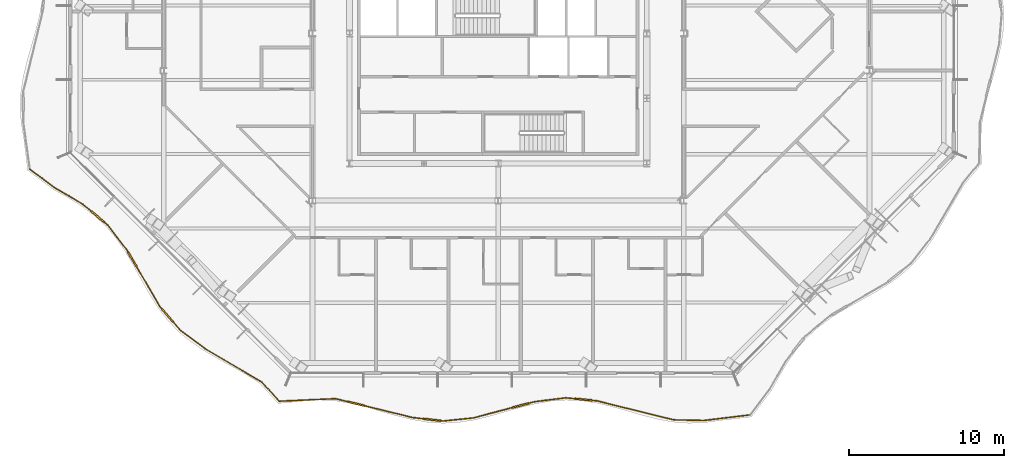
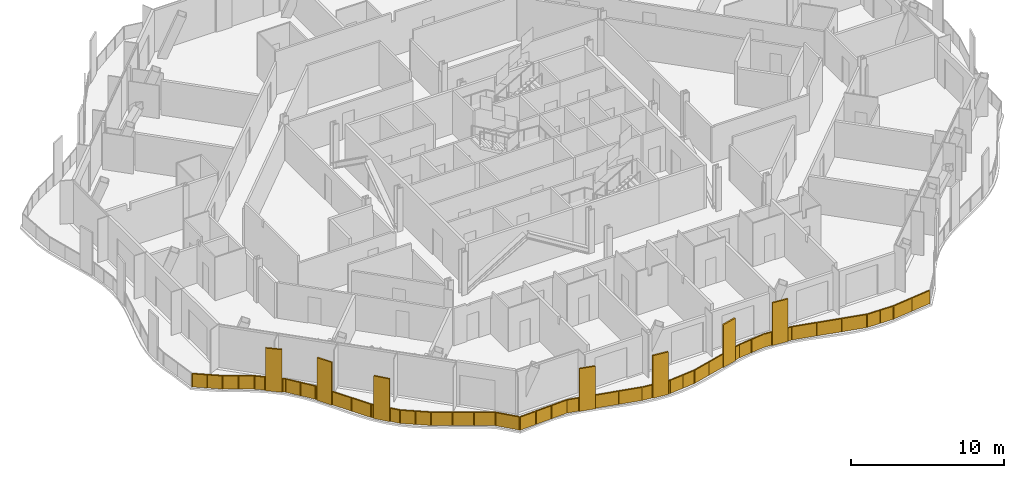
# One storey, part 14 of 21: 2 railings.
"""IFC4 building model written with IfcOpenShell, lengths in metres."""

from ifc_helpers import new_model, si_unit, direction, frame, origin, origin_2d, place, context, subcontext, project, spatial, polyline, rectangle, outline, extrude, material, type_object, element, save


model = new_model("IFC4")

# Units and contexts
model_context = context("Model", 3, precision=1e-05, world=origin(), true_north=direction((0.0, 1.0)))
body_context = subcontext(model_context, "Body", "Model", "MODEL_VIEW")
ifc_project = project(units=[si_unit("LENGTHUNIT", "METRE"), si_unit("AREAUNIT", "SQUARE_METRE"), si_unit("VOLUMEUNIT", "CUBIC_METRE"), si_unit("PLANEANGLEUNIT", "RADIAN"), si_unit("MASSUNIT", "GRAM", prefix="KILO")], contexts=[model_context])

# Site, building, storey
site_placement = place(None, origin())
site = spatial("IfcSite", under=ifc_project, at=site_placement, CompositionType="ELEMENT")
building_placement = place(site_placement, origin())
building = spatial("IfcBuilding", under=site, at=building_placement, Name="Cairn Pilgrim Tower", CompositionType="ELEMENT")
storey_placement = place(building_placement, frame((0.0, 0.0, 179.39990234375)))
storey = spatial("IfcBuildingStorey", under=building, at=storey_placement, Name="L45", CompositionType="ELEMENT", Elevation=179.39990234375)

# Railings
ifc_material = material(Name="Bronze anodised aluminium rail, posts and fin screens with laminated glass infill", Category="aluminium")
railing_type = type_object("IfcRailingType", Name="BALCONY GUARD WITH FIN SCREENS", PredefinedType="GUARDRAIL", material=ifc_material)
railing_1_placement = place(storey_placement, frame((-6.94873046875, -21.36669921875, 0.0)))
element("IfcRailing", 1, at=railing_1_placement, inside=storey, type_object=railing_type, Name="Balcony guard BGF-1 with fin screens", PredefinedType="GUARDRAIL", context=body_context, shape_type="SweptSolid", body=[
    extrude(rectangle(XDim=0.050048828125, YDim=0.050048828125, at=origin_2d()), frame((0.0, 0.0, 1.0751953125), z_axis=(0.999002356158, 0.044657500942, 0.0), x_axis=(-0.044657500942, 0.999002356158, 0.0)), (0.0, 0.0, 1.0), 3.646484375),
    extrude(rectangle(XDim=1.10009765625, YDim=0.110107421875, at=origin_2d()), frame((4.965087890625, -0.160400390625, 0.0), z_axis=(0.0, 0.0, 1.0), x_axis=(0.971382396448, -0.237521030377, 0.0)), (0.0, 0.0, 1.0), 3.39990234375),
    extrude(rectangle(XDim=0.050048828125, YDim=0.050048828125, at=origin_2d()), frame((3.642822265625, 0.162841796875, 1.0751953125), z_axis=(0.971382396448, -0.237521030377, 0.0), x_axis=(0.237521030377, 0.971382396448, 0.0)), (0.0, 0.0, 1.0), 0.811279296875),
    extrude(rectangle(XDim=0.050048828125, YDim=0.050048828125, at=origin_2d()), frame((5.49951171875, -0.291259765625, 1.0751953125), z_axis=(0.971382396448, -0.237521030377, 0.0), x_axis=(0.237521030377, 0.971382396448, 0.0)), (0.0, 0.0, 1.0), 3.212646484375),
    extrude(rectangle(XDim=1.10009765625, YDim=0.110107421875, at=origin_2d()), frame((9.885498046875, -1.201416015625, 0.0), z_axis=(0.0, 0.0, 1.0), x_axis=(0.993305070105, -0.115520724129, 0.0)), (0.0, 0.0, 1.0), 3.39990234375),
    extrude(rectangle(XDim=0.050048828125, YDim=0.050048828125, at=origin_2d()), frame((8.6201171875, -1.05419921875, 1.0751953125), z_axis=(0.993305070105, -0.115520724129, 0.0), x_axis=(0.115520724129, 0.993305070105, 0.0)), (0.0, 0.0, 1.0), 0.723876953125),
    extrude(rectangle(XDim=0.050048828125, YDim=0.050048828125, at=origin_2d()), frame((10.431640625, -1.264892578125, 1.0751953125), z_axis=(0.993305070105, -0.115520724129, 0.0), x_axis=(0.115520724129, 0.993305070105, 0.0)), (0.0, 0.0, 1.0), 0.150146484375),
    extrude(rectangle(XDim=0.050048828125, YDim=0.050048828125, at=origin_2d()), frame((10.580810546875, -1.2822265625, 1.0751953125), z_axis=(0.994840020246, 0.101456069887, 0.0), x_axis=(-0.101456069887, 0.994840020246, 0.0)), (0.0, 0.0, 1.0), 1.968505859375),
    extrude(rectangle(XDim=1.10009765625, YDim=0.110107421875, at=origin_2d()), frame((15.602294921875, -0.269775390625, 0.0), z_axis=(0.0, 0.0, 1.0), x_axis=(0.966549833683, 0.256478886085, 0.0)), (0.0, 0.0, 1.0), 3.39990234375),
    extrude(rectangle(XDim=0.050048828125, YDim=0.050048828125, at=origin_2d()), frame((12.5390625, -1.08251953125, 1.0751953125), z_axis=(0.966549833683, 0.256478886085, 0.0), x_axis=(-0.256478886085, 0.966549833683, 0.0)), (0.0, 0.0, 1.0), 2.619140625),
    extrude(rectangle(XDim=0.050048828125, YDim=0.050048828125, at=origin_2d()), frame((16.1337890625, -0.128662109375, 1.0751953125), z_axis=(0.966549833683, 0.256478886085, 0.0), x_axis=(-0.256478886085, 0.966549833683, 0.0)), (0.0, 0.0, 1.0), 0.38916015625),
    extrude(rectangle(XDim=0.050048828125, YDim=0.050048828125, at=origin_2d()), frame((16.510009765625, -0.02880859375, 1.0751953125), z_axis=(0.992636699475, 0.121129611799, 0.0), x_axis=(-0.121129611799, 0.992636699475, 0.0)), (0.0, 0.0, 1.0), 2.027587890625),
    extrude(rectangle(XDim=1.10009765625, YDim=0.110107421875, at=origin_2d()), frame((19.68408203125, 0.105224609375, 0.0), z_axis=(0.0, 0.0, 1.0), x_axis=(0.995408807955, -0.095714706525, 0.0)), (0.0, 0.0, 1.0), 3.39990234375),
    extrude(rectangle(XDim=0.050048828125, YDim=0.050048828125, at=origin_2d()), frame((18.522705078125, 0.216796875, 1.0751953125), z_axis=(0.995408807955, -0.095714706525, 0.0), x_axis=(0.095714706525, 0.995408807955, 0.0)), (0.0, 0.0, 1.0), 0.61669921875),
    extrude(rectangle(XDim=0.050048828125, YDim=0.050048828125, at=origin_2d()), frame((20.2314453125, 0.052490234375, 1.0751953125), z_axis=(0.995408807955, -0.095714706525, 0.0), x_axis=(0.095714706525, 0.995408807955, 0.0)), (0.0, 0.0, 1.0), 0.305908203125),
    extrude(rectangle(XDim=0.050048828125, YDim=0.050048828125, at=origin_2d()), frame((20.5361328125, 0.023193359375, 1.0751953125), z_axis=(0.970657421305, -0.240466568292, 0.0), x_axis=(0.240466568292, 0.970657421305, 0.0)), (0.0, 0.0, 1.0), 5.10986328125),
    extrude(rectangle(XDim=0.050048828125, YDim=0.050048828125, at=origin_2d()), frame((25.49609375, -1.20556640625, 1.0751953125), z_axis=(0.999796255708, -0.020185318223, 0.0), x_axis=(0.020185318223, 0.999796255708, 0.0)), (0.0, 0.0, 1.0), 1.95947265625),
    extrude(rectangle(XDim=0.050048828125, YDim=0.050048828125, at=origin_2d()), frame((27.455078125, -1.2451171875, 1.0751953125), z_axis=(0.992711277058, 0.120516888454, 0.0), x_axis=(-0.120516888454, 0.992711277058, 0.0)), (0.0, 0.0, 1.0), 2.947509765625),
    extrude(rectangle(XDim=0.050048828125, YDim=0.050048828125, at=origin_2d()), origin(), (0.0, 0.0, 1.0), 1.050048828125),
    extrude(rectangle(XDim=0.050048828125, YDim=0.050048828125, at=origin_2d()), frame((1.21435546875, 0.05419921875, 0.0)), (0.0, 0.0, 1.0), 1.050048828125),
    extrude(rectangle(XDim=0.050048828125, YDim=0.050048828125, at=origin_2d()), frame((2.428466796875, 0.108642578125, 0.0)), (0.0, 0.0, 1.0), 1.050048828125),
    extrude(rectangle(XDim=0.050048828125, YDim=0.050048828125, at=origin_2d()), frame((3.642822265625, 0.162841796875, 0.0)), (0.0, 0.0, 1.0), 1.050048828125),
    extrude(rectangle(XDim=0.050048828125, YDim=0.050048828125, at=origin_2d()), frame((4.40673828125, -0.02392578125, 0.0)), (0.0, 0.0, 1.0), 1.050048828125),
    extrude(rectangle(XDim=0.050048828125, YDim=0.050048828125, at=origin_2d()), frame((5.523681640625, -0.297119140625, 0.0)), (0.0, 0.0, 1.0), 1.050048828125),
    extrude(rectangle(XDim=0.050048828125, YDim=0.050048828125, at=origin_2d()), frame((7.072021484375, -0.675537109375, 0.0)), (0.0, 0.0, 1.0), 1.050048828125),
    extrude(rectangle(XDim=0.050048828125, YDim=0.050048828125, at=origin_2d()), frame((8.6201171875, -1.05419921875, 0.0)), (0.0, 0.0, 1.0), 1.050048828125),
    extrude(rectangle(XDim=0.050048828125, YDim=0.050048828125, at=origin_2d()), frame((9.314208984375, -1.135009765625, 0.0)), (0.0, 0.0, 1.0), 1.050048828125),
    extrude(rectangle(XDim=0.050048828125, YDim=0.050048828125, at=origin_2d()), frame((10.45654296875, -1.267822265625, 0.0)), (0.0, 0.0, 1.0), 1.050048828125),
    extrude(rectangle(XDim=0.050048828125, YDim=0.050048828125, at=origin_2d()), frame((10.580810546875, -1.2822265625, 0.0)), (0.0, 0.0, 1.0), 1.050048828125),
    extrude(rectangle(XDim=0.050048828125, YDim=0.050048828125, at=origin_2d()), frame((11.56005859375, -1.182373046875, 0.0)), (0.0, 0.0, 1.0), 1.050048828125),
    extrude(rectangle(XDim=0.050048828125, YDim=0.050048828125, at=origin_2d()), frame((12.5390625, -1.08251953125, 0.0)), (0.0, 0.0, 1.0), 1.050048828125),
    extrude(rectangle(XDim=0.050048828125, YDim=0.050048828125, at=origin_2d()), frame((13.792724609375, -0.749755859375, 0.0)), (0.0, 0.0, 1.0), 1.050048828125),
    extrude(rectangle(XDim=0.050048828125, YDim=0.050048828125, at=origin_2d()), frame((15.04638671875, -0.417236328125, 0.0)), (0.0, 0.0, 1.0), 1.050048828125),
    extrude(rectangle(XDim=0.050048828125, YDim=0.050048828125, at=origin_2d()), frame((16.157958984375, -0.122314453125, 0.0)), (0.0, 0.0, 1.0), 1.050048828125),
    extrude(rectangle(XDim=0.050048828125, YDim=0.050048828125, at=origin_2d()), frame((16.510009765625, -0.02880859375, 0.0)), (0.0, 0.0, 1.0), 1.050048828125),
    extrude(rectangle(XDim=0.050048828125, YDim=0.050048828125, at=origin_2d()), frame((17.516357421875, 0.093994140625, 0.0)), (0.0, 0.0, 1.0), 1.050048828125),
    extrude(rectangle(XDim=0.050048828125, YDim=0.050048828125, at=origin_2d()), frame((18.522705078125, 0.216796875, 0.0)), (0.0, 0.0, 1.0), 1.050048828125),
    extrude(rectangle(XDim=0.050048828125, YDim=0.050048828125, at=origin_2d()), frame((19.111572265625, 0.16015625, 0.0)), (0.0, 0.0, 1.0), 1.050048828125),
    extrude(rectangle(XDim=0.050048828125, YDim=0.050048828125, at=origin_2d()), frame((20.25634765625, 0.050048828125, 0.0)), (0.0, 0.0, 1.0), 1.050048828125),
    extrude(rectangle(XDim=0.050048828125, YDim=0.050048828125, at=origin_2d()), frame((20.5361328125, 0.023193359375, 0.0)), (0.0, 0.0, 1.0), 1.050048828125),
    extrude(rectangle(XDim=0.050048828125, YDim=0.050048828125, at=origin_2d()), frame((22.189453125, -0.386474609375, 0.0)), (0.0, 0.0, 1.0), 1.050048828125),
    extrude(rectangle(XDim=0.050048828125, YDim=0.050048828125, at=origin_2d()), frame((23.8427734375, -0.7958984375, 0.0)), (0.0, 0.0, 1.0), 1.050048828125),
    extrude(rectangle(XDim=0.050048828125, YDim=0.050048828125, at=origin_2d()), frame((25.49609375, -1.20556640625, 0.0)), (0.0, 0.0, 1.0), 1.050048828125),
    extrude(rectangle(XDim=0.050048828125, YDim=0.050048828125, at=origin_2d()), frame((26.4755859375, -1.225341796875, 0.0)), (0.0, 0.0, 1.0), 1.050048828125),
    extrude(rectangle(XDim=0.050048828125, YDim=0.050048828125, at=origin_2d()), frame((27.455078125, -1.2451171875, 0.0)), (0.0, 0.0, 1.0), 1.050048828125),
    extrude(rectangle(XDim=0.050048828125, YDim=0.050048828125, at=origin_2d()), frame((28.91796875, -1.0673828125, 0.0)), (0.0, 0.0, 1.0), 1.050048828125),
    extrude(rectangle(XDim=0.050048828125, YDim=0.050048828125, at=origin_2d()), frame((30.381103515625, -0.889892578125, 0.0)), (0.0, 0.0, 1.0), 1.050048828125),
    extrude(outline(polyline([(0.02490234375, 0.0), (1.1904296875, 0.0), (1.1904296875, 1.050048828125), (0.02490234375, 1.050048828125), (0.02490234375, 0.0)])), frame((-0.000244140625, 0.005859375, 0.0), z_axis=(0.044657500942, -0.999002356158, 0.0), x_axis=(0.999002356158, 0.044657500942, 0.0)), (0.0, 0.0, 1.0), 0.011962890625),
    extrude(outline(polyline([(0.02490234375, 0.0), (1.1904296875, 0.0), (1.1904296875, 1.050048828125), (0.02490234375, 1.050048828125), (0.02490234375, 0.0)])), frame((1.214111328125, 0.060302734375, 0.0), z_axis=(0.044657500942, -0.999002356158, 0.0), x_axis=(0.999002356158, 0.044657500942, 0.0)), (0.0, 0.0, 1.0), 0.011962890625),
    extrude(outline(polyline([(0.02490234375, 0.0), (1.1904296875, 0.0), (1.1904296875, 1.050048828125), (0.02490234375, 1.050048828125), (0.02490234375, 0.0)])), frame((2.42822265625, 0.114501953125, 0.0), z_axis=(0.044657500942, -0.999002356158, 0.0), x_axis=(0.999002356158, 0.044657500942, 0.0)), (0.0, 0.0, 1.0), 0.011962890625),
    extrude(outline(polyline([(0.02490234375, 0.0), (0.76123046875, 0.0), (0.76123046875, 1.050048828125), (0.02490234375, 1.050048828125), (0.02490234375, 0.0)])), frame((3.644287109375, 0.168701171875, 0.0), z_axis=(-0.237521030377, -0.971382396448, 0.0), x_axis=(0.971382396448, -0.237521030377, 0.0)), (0.0, 0.0, 1.0), 0.011962890625),
    extrude(outline(polyline([(0.02490234375, 0.0), (1.56884765625, 0.0), (1.56884765625, 1.050048828125), (0.02490234375, 1.050048828125), (0.02490234375, 0.0)])), frame((5.525146484375, -0.291259765625, 0.0), z_axis=(-0.237521030377, -0.971382396448, 0.0), x_axis=(0.971382396448, -0.237521030377, 0.0)), (0.0, 0.0, 1.0), 0.011962890625),
    extrude(outline(polyline([(0.02490234375, 0.0), (1.56884765625, 0.0), (1.56884765625, 1.050048828125), (0.02490234375, 1.050048828125), (0.02490234375, 0.0)])), frame((7.073486328125, -0.669921875, 0.0), z_axis=(-0.237521030377, -0.971382396448, 0.0), x_axis=(0.971382396448, -0.237521030377, 0.0)), (0.0, 0.0, 1.0), 0.011962890625),
    extrude(outline(polyline([(0.02490234375, 0.0), (0.673828125, 0.0), (0.673828125, 1.050048828125), (0.02490234375, 1.050048828125), (0.02490234375, 0.0)])), frame((8.620849609375, -1.04833984375, 0.0), z_axis=(-0.115520724129, -0.993305070105, 0.0), x_axis=(0.993305070105, -0.115520724129, 0.0)), (0.0, 0.0, 1.0), 0.011962890625),
    extrude(outline(polyline([(0.02490234375, 0.0), (0.10009765625, 0.0), (0.10009765625, 1.050048828125), (0.02490234375, 1.050048828125), (0.02490234375, 0.0)])), frame((10.457275390625, -1.26171875, 0.0), z_axis=(-0.115520724129, -0.993305070105, 0.0), x_axis=(0.993305070105, -0.115520724129, 0.0)), (0.0, 0.0, 1.0), 0.011962890625),
    extrude(outline(polyline([(0.02490234375, 0.0), (0.959228515625, 0.0), (0.959228515625, 1.050048828125), (0.02490234375, 1.050048828125), (0.02490234375, 0.0)])), frame((10.580322265625, -1.2763671875, 0.0), z_axis=(0.101456069887, -0.994840020246, 0.0), x_axis=(0.994840020246, 0.101456069887, 0.0)), (0.0, 0.0, 1.0), 0.011962890625),
    extrude(outline(polyline([(0.02490234375, 0.0), (0.959228515625, 0.0), (0.959228515625, 1.050048828125), (0.02490234375, 1.050048828125), (0.02490234375, 0.0)])), frame((11.559326171875, -1.176513671875, 0.0), z_axis=(0.101456069887, -0.994840020246, 0.0), x_axis=(0.994840020246, 0.101456069887, 0.0)), (0.0, 0.0, 1.0), 0.011962890625),
    extrude(outline(polyline([(0.02490234375, 0.0), (1.27197265625, 0.0), (1.27197265625, 1.050048828125), (0.02490234375, 1.050048828125), (0.02490234375, 0.0)])), frame((12.53759765625, -1.07666015625, 0.0), z_axis=(0.256478886085, -0.966549833683, 0.0), x_axis=(0.966549833683, 0.256478886085, 0.0)), (0.0, 0.0, 1.0), 0.011962890625),
    extrude(outline(polyline([(0.02490234375, 0.0), (1.27197265625, 0.0), (1.27197265625, 1.050048828125), (0.02490234375, 1.050048828125), (0.02490234375, 0.0)])), frame((13.791259765625, -0.744140625, 0.0), z_axis=(0.256478886085, -0.966549833683, 0.0), x_axis=(0.966549833683, 0.256478886085, 0.0)), (0.0, 0.0, 1.0), 0.011962890625),
    extrude(outline(polyline([(0.02490234375, 0.0), (0.339111328125, 0.0), (0.339111328125, 1.050048828125), (0.02490234375, 1.050048828125), (0.02490234375, 0.0)])), frame((16.156494140625, -0.116455078125, 0.0), z_axis=(0.256478886085, -0.966549833683, 0.0), x_axis=(0.966549833683, 0.256478886085, 0.0)), (0.0, 0.0, 1.0), 0.011962890625),
    extrude(outline(polyline([(0.02490234375, 0.0), (0.98876953125, 0.0), (0.98876953125, 1.050048828125), (0.02490234375, 1.050048828125), (0.02490234375, 0.0)])), frame((16.50927734375, -0.02294921875, 0.0), z_axis=(0.121129611799, -0.992636699475, 0.0), x_axis=(0.992636699475, 0.121129611799, 0.0)), (0.0, 0.0, 1.0), 0.011962890625),
    extrude(outline(polyline([(0.02490234375, 0.0), (0.98876953125, 0.0), (0.98876953125, 1.050048828125), (0.02490234375, 1.050048828125), (0.02490234375, 0.0)])), frame((17.515625, 0.099853515625, 0.0), z_axis=(0.121129611799, -0.992636699475, 0.0), x_axis=(0.992636699475, 0.121129611799, 0.0)), (0.0, 0.0, 1.0), 0.011962890625),
    extrude(outline(polyline([(0.02490234375, 0.0), (0.566650390625, 0.0), (0.566650390625, 1.050048828125), (0.02490234375, 1.050048828125), (0.02490234375, 0.0)])), frame((18.523193359375, 0.22265625, 0.0), z_axis=(-0.095714706525, -0.995408807955, 0.0), x_axis=(0.995408807955, -0.095714706525, 0.0)), (0.0, 0.0, 1.0), 0.011962890625),
    extrude(outline(polyline([(0.02490234375, 0.0), (0.255859375, 0.0), (0.255859375, 1.050048828125), (0.02490234375, 1.050048828125), (0.02490234375, 0.0)])), frame((20.257080078125, 0.05615234375, 0.0), z_axis=(-0.095714706525, -0.995408807955, 0.0), x_axis=(0.995408807955, -0.095714706525, 0.0)), (0.0, 0.0, 1.0), 0.011962890625),
    extrude(outline(polyline([(0.02490234375, 0.0), (1.67822265625, 0.0), (1.67822265625, 1.050048828125), (0.02490234375, 1.050048828125), (0.02490234375, 0.0)])), frame((20.53759765625, 0.029052734375, 0.0), z_axis=(-0.240466568292, -0.970657421305, 0.0), x_axis=(0.970657421305, -0.240466568292, 0.0)), (0.0, 0.0, 1.0), 0.011962890625),
    extrude(outline(polyline([(0.02490234375, 0.0), (1.67822265625, 0.0), (1.67822265625, 1.050048828125), (0.02490234375, 1.050048828125), (0.02490234375, 0.0)])), frame((22.19091796875, -0.380615234375, 0.0), z_axis=(-0.240466568292, -0.970657421305, 0.0), x_axis=(0.970657421305, -0.240466568292, 0.0)), (0.0, 0.0, 1.0), 0.011962890625),
    extrude(outline(polyline([(0.02490234375, 0.0), (1.67822265625, 0.0), (1.67822265625, 1.050048828125), (0.02490234375, 1.050048828125), (0.02490234375, 0.0)])), frame((23.84423828125, -0.790283203125, 0.0), z_axis=(-0.240466568292, -0.970657421305, 0.0), x_axis=(0.970657421305, -0.240466568292, 0.0)), (0.0, 0.0, 1.0), 0.011962890625),
    extrude(outline(polyline([(0.02490234375, 0.0), (0.95458984375, 0.0), (0.95458984375, 1.050048828125), (0.02490234375, 1.050048828125), (0.02490234375, 0.0)])), frame((25.49609375, -1.19970703125, 0.0), z_axis=(-0.020185318223, -0.999796255708, 0.0), x_axis=(0.999796255708, -0.020185318223, 0.0)), (0.0, 0.0, 1.0), 0.011962890625),
    extrude(outline(polyline([(0.02490234375, 0.0), (0.95458984375, 0.0), (0.95458984375, 1.050048828125), (0.02490234375, 1.050048828125), (0.02490234375, 0.0)])), frame((26.4755859375, -1.219482421875, 0.0), z_axis=(-0.020185318223, -0.999796255708, 0.0), x_axis=(0.999796255708, -0.020185318223, 0.0)), (0.0, 0.0, 1.0), 0.011962890625),
    extrude(outline(polyline([(0.02490234375, 0.0), (1.44873046875, 0.0), (1.44873046875, 1.050048828125), (0.02490234375, 1.050048828125), (0.02490234375, 0.0)])), frame((27.454345703125, -1.2392578125, 0.0), z_axis=(0.120516888454, -0.992711277058, 0.0), x_axis=(0.992711277058, 0.120516888454, 0.0)), (0.0, 0.0, 1.0), 0.011962890625),
    extrude(outline(polyline([(0.02490234375, 0.0), (1.44873046875, 0.0), (1.44873046875, 1.050048828125), (0.02490234375, 1.050048828125), (0.02490234375, 0.0)])), frame((28.91748046875, -1.0615234375, 0.0), z_axis=(0.120516888454, -0.992711277058, 0.0), x_axis=(0.992711277058, 0.120516888454, 0.0)), (0.0, 0.0, 1.0), 0.011962890625),
])
railing_2_placement = place(storey_placement, frame((-23.0712890625, -6.357666015625, 0.0)))
element("IfcRailing", 2, at=railing_2_placement, inside=storey, type_object=railing_type, Name="Balcony guard BGF-8 with fin screens", PredefinedType="GUARDRAIL", context=body_context, shape_type="SweptSolid", body=[
    extrude(rectangle(XDim=0.050048828125, YDim=0.050048828125, at=origin_2d()), frame((0.0, 0.0, 1.0751953125), z_axis=(0.800087512457, -0.599883298993, 0.0), x_axis=(0.599883298993, 0.800087512457, 0.0)), (0.0, 0.0, 1.0), 2.008544921875),
    extrude(rectangle(XDim=0.050048828125, YDim=0.050048828125, at=origin_2d()), frame((1.60693359375, -1.204833984375, 1.0751953125), z_axis=(0.861776337318, -0.507288423325, 0.0), x_axis=(0.507288423325, 0.861776337318, 0.0)), (0.0, 0.0, 1.0), 2.107421875),
    extrude(rectangle(XDim=1.10009765625, YDim=0.110107421875, at=origin_2d()), frame((4.396728515625, -3.0830078125, 0.0), z_axis=(0.0, 0.0, 1.0), x_axis=(0.769040803945, -0.639199688569, 0.0)), (0.0, 0.0, 1.0), 3.39990234375),
    extrude(rectangle(XDim=0.050048828125, YDim=0.050048828125, at=origin_2d()), frame((3.423095703125, -2.27392578125, 1.0751953125), z_axis=(0.769040803945, -0.639199688569, 0.0), x_axis=(0.639199688569, 0.769040803945, 0.0)), (0.0, 0.0, 1.0), 0.7158203125),
    extrude(rectangle(XDim=0.050048828125, YDim=0.050048828125, at=origin_2d()), frame((4.819580078125, -3.4345703125, 1.0751953125), z_axis=(0.769040803945, -0.639199688569, 0.0), x_axis=(0.639199688569, 0.769040803945, 0.0)), (0.0, 0.0, 1.0), 0.258056640625),
    extrude(rectangle(XDim=0.050048828125, YDim=0.050048828125, at=origin_2d()), frame((5.01806640625, -3.599609375, 1.0751953125), z_axis=(0.609534899632, -0.792759235916, 0.0), x_axis=(0.792759235916, 0.609534899632, 0.0)), (0.0, 0.0, 1.0), 2.080078125),
    extrude(rectangle(XDim=1.10009765625, YDim=0.110107421875, at=origin_2d()), frame((6.638916015625, -5.85302734375, 0.0), z_axis=(0.0, 0.0, 1.0), x_axis=(0.504210138048, -0.863580996022, 0.0)), (0.0, 0.0, 1.0), 3.39990234375),
    extrude(rectangle(XDim=0.050048828125, YDim=0.050048828125, at=origin_2d()), frame((6.285888671875, -5.24853515625, 1.0751953125), z_axis=(0.504210138048, -0.863580996022, 0.0), x_axis=(0.863580996022, 0.504210138048, 0.0)), (0.0, 0.0, 1.0), 0.14990234375),
    extrude(rectangle(XDim=0.050048828125, YDim=0.050048828125, at=origin_2d()), frame((6.916015625, -6.327880859375, 1.0751953125), z_axis=(0.504210138048, -0.863580996022, 0.0), x_axis=(0.863580996022, 0.504210138048, 0.0)), (0.0, 0.0, 1.0), 2.957275390625),
    extrude(rectangle(XDim=1.10009765625, YDim=0.110107421875, at=origin_2d()), frame((8.892578125, -9.447509765625, 0.0), z_axis=(0.0, 0.0, 1.0), x_axis=(0.651180972865, -0.758922486542, 0.0)), (0.0, 0.0, 1.0), 3.39990234375),
    extrude(rectangle(XDim=0.050048828125, YDim=0.050048828125, at=origin_2d()), frame((8.4072265625, -8.8818359375, 1.0751953125), z_axis=(0.651180972865, -0.758922486542, 0.0), x_axis=(0.758922486542, 0.651180972865, 0.0)), (0.0, 0.0, 1.0), 0.195556640625),
    extrude(rectangle(XDim=0.050048828125, YDim=0.050048828125, at=origin_2d()), frame((9.250732421875, -9.864990234375, 1.0751953125), z_axis=(0.651180972865, -0.758922486542, 0.0), x_axis=(0.758922486542, 0.651180972865, 0.0)), (0.0, 0.0, 1.0), 0.716796875),
    extrude(rectangle(XDim=0.050048828125, YDim=0.050048828125, at=origin_2d()), frame((9.717529296875, -10.408935546875, 1.0751953125), z_axis=(0.801223407947, -0.598365315304, 0.0), x_axis=(0.598365315304, 0.801223407947, 0.0)), (0.0, 0.0, 1.0), 2.03271484375),
    extrude(rectangle(XDim=0.050048828125, YDim=0.050048828125, at=origin_2d()), frame((11.34619140625, -11.625244140625, 1.0751953125), z_axis=(0.86267623008, -0.505756583799, 0.0), x_axis=(0.505756583799, 0.86267623008, 0.0)), (0.0, 0.0, 1.0), 4.223876953125),
    extrude(rectangle(XDim=0.050048828125, YDim=0.050048828125, at=origin_2d()), frame((14.989990234375, -13.761474609375, 1.0751953125), z_axis=(0.672179091844, -0.740388592894, 0.0), x_axis=(0.740388592894, 0.672179091844, 0.0)), (0.0, 0.0, 1.0), 1.625),
    extrude(rectangle(XDim=0.050048828125, YDim=0.050048828125, at=origin_2d()), origin(), (0.0, 0.0, 1.0), 1.050048828125),
    extrude(rectangle(XDim=0.050048828125, YDim=0.050048828125, at=origin_2d()), frame((0.803466796875, -0.6025390625, 0.0)), (0.0, 0.0, 1.0), 1.050048828125),
    extrude(rectangle(XDim=0.050048828125, YDim=0.050048828125, at=origin_2d()), frame((1.60693359375, -1.204833984375, 0.0)), (0.0, 0.0, 1.0), 1.050048828125),
    extrude(rectangle(XDim=0.050048828125, YDim=0.050048828125, at=origin_2d()), frame((2.51513671875, -1.7392578125, 0.0)), (0.0, 0.0, 1.0), 1.050048828125),
    extrude(rectangle(XDim=0.050048828125, YDim=0.050048828125, at=origin_2d()), frame((3.423095703125, -2.27392578125, 0.0)), (0.0, 0.0, 1.0), 1.050048828125),
    extrude(rectangle(XDim=0.050048828125, YDim=0.050048828125, at=origin_2d()), frame((3.954345703125, -2.715576171875, 0.0)), (0.0, 0.0, 1.0), 1.050048828125),
    extrude(rectangle(XDim=0.050048828125, YDim=0.050048828125, at=origin_2d()), frame((4.8388671875, -3.45068359375, 0.0)), (0.0, 0.0, 1.0), 1.050048828125),
    extrude(rectangle(XDim=0.050048828125, YDim=0.050048828125, at=origin_2d()), frame((5.01806640625, -3.599609375, 0.0)), (0.0, 0.0, 1.0), 1.050048828125),
    extrude(rectangle(XDim=0.050048828125, YDim=0.050048828125, at=origin_2d()), frame((5.65185546875, -4.424072265625, 0.0)), (0.0, 0.0, 1.0), 1.050048828125),
    extrude(rectangle(XDim=0.050048828125, YDim=0.050048828125, at=origin_2d()), frame((6.285888671875, -5.24853515625, 0.0)), (0.0, 0.0, 1.0), 1.050048828125),
    extrude(rectangle(XDim=0.050048828125, YDim=0.050048828125, at=origin_2d()), frame((6.348876953125, -5.3564453125, 0.0)), (0.0, 0.0, 1.0), 1.050048828125),
    extrude(rectangle(XDim=0.050048828125, YDim=0.050048828125, at=origin_2d()), frame((6.9287109375, -6.349609375, 0.0)), (0.0, 0.0, 1.0), 1.050048828125),
    extrude(rectangle(XDim=0.050048828125, YDim=0.050048828125, at=origin_2d()), frame((7.66796875, -7.61572265625, 0.0)), (0.0, 0.0, 1.0), 1.050048828125),
    extrude(rectangle(XDim=0.050048828125, YDim=0.050048828125, at=origin_2d()), frame((8.4072265625, -8.8818359375, 0.0)), (0.0, 0.0, 1.0), 1.050048828125),
    extrude(rectangle(XDim=0.050048828125, YDim=0.050048828125, at=origin_2d()), frame((8.518310546875, -9.01123046875, 0.0)), (0.0, 0.0, 1.0), 1.050048828125),
    extrude(rectangle(XDim=0.050048828125, YDim=0.050048828125, at=origin_2d()), frame((9.26708984375, -9.884033203125, 0.0)), (0.0, 0.0, 1.0), 1.050048828125),
    extrude(rectangle(XDim=0.050048828125, YDim=0.050048828125, at=origin_2d()), frame((9.717529296875, -10.408935546875, 0.0)), (0.0, 0.0, 1.0), 1.050048828125),
    extrude(rectangle(XDim=0.050048828125, YDim=0.050048828125, at=origin_2d()), frame((10.53173828125, -11.01708984375, 0.0)), (0.0, 0.0, 1.0), 1.050048828125),
    extrude(rectangle(XDim=0.050048828125, YDim=0.050048828125, at=origin_2d()), frame((11.34619140625, -11.625244140625, 0.0)), (0.0, 0.0, 1.0), 1.050048828125),
    extrude(rectangle(XDim=0.050048828125, YDim=0.050048828125, at=origin_2d()), frame((12.560791015625, -12.33740234375, 0.0)), (0.0, 0.0, 1.0), 1.050048828125),
    extrude(rectangle(XDim=0.050048828125, YDim=0.050048828125, at=origin_2d()), frame((13.775390625, -13.04931640625, 0.0)), (0.0, 0.0, 1.0), 1.050048828125),
    extrude(rectangle(XDim=0.050048828125, YDim=0.050048828125, at=origin_2d()), frame((14.989990234375, -13.761474609375, 0.0)), (0.0, 0.0, 1.0), 1.050048828125),
    extrude(rectangle(XDim=0.050048828125, YDim=0.050048828125, at=origin_2d()), frame((16.082275390625, -14.964599609375, 0.0)), (0.0, 0.0, 1.0), 1.050048828125),
    extrude(outline(polyline([(0.02490234375, 0.0), (0.979248046875, 0.0), (0.979248046875, 1.050048828125), (0.02490234375, 1.050048828125), (0.02490234375, 0.0)])), frame((0.003662109375, 0.0048828125, 0.0), z_axis=(-0.599883298993, -0.800087512457, 0.0), x_axis=(0.800087512457, -0.599883298993, 0.0)), (0.0, 0.0, 1.0), 0.011962890625),
    extrude(outline(polyline([(0.02490234375, 0.0), (0.979248046875, 0.0), (0.979248046875, 1.050048828125), (0.02490234375, 1.050048828125), (0.02490234375, 0.0)])), frame((0.80712890625, -0.59765625, 0.0), z_axis=(-0.599883298993, -0.800087512457, 0.0), x_axis=(0.800087512457, -0.599883298993, 0.0)), (0.0, 0.0, 1.0), 0.011962890625),
    extrude(outline(polyline([(0.02490234375, 0.0), (1.02880859375, 0.0), (1.02880859375, 1.050048828125), (0.02490234375, 1.050048828125), (0.02490234375, 0.0)])), frame((1.60986328125, -1.19970703125, 0.0), z_axis=(-0.507288423325, -0.861776337318, 0.0), x_axis=(0.861776337318, -0.507288423325, 0.0)), (0.0, 0.0, 1.0), 0.011962890625),
    extrude(outline(polyline([(0.02490234375, 0.0), (1.02880859375, 0.0), (1.02880859375, 1.050048828125), (0.02490234375, 1.050048828125), (0.02490234375, 0.0)])), frame((2.51806640625, -1.734130859375, 0.0), z_axis=(-0.507288423325, -0.861776337318, 0.0), x_axis=(0.861776337318, -0.507288423325, 0.0)), (0.0, 0.0, 1.0), 0.011962890625),
    extrude(outline(polyline([(0.02490234375, 0.0), (0.665771484375, 0.0), (0.665771484375, 1.050048828125), (0.02490234375, 1.050048828125), (0.02490234375, 0.0)])), frame((3.427001953125, -2.269287109375, 0.0), z_axis=(-0.639199688569, -0.769040803945, 0.0), x_axis=(0.769040803945, -0.639199688569, 0.0)), (0.0, 0.0, 1.0), 0.011962890625),
    extrude(outline(polyline([(0.02490234375, 0.0), (0.2080078125, 0.0), (0.2080078125, 1.050048828125), (0.02490234375, 1.050048828125), (0.02490234375, 0.0)])), frame((4.8427734375, -3.446044921875, 0.0), z_axis=(-0.639199688569, -0.769040803945, 0.0), x_axis=(0.769040803945, -0.639199688569, 0.0)), (0.0, 0.0, 1.0), 0.011962890625),
    extrude(outline(polyline([(0.02490234375, 0.0), (1.014892578125, 0.0), (1.014892578125, 1.050048828125), (0.02490234375, 1.050048828125), (0.02490234375, 0.0)])), frame((5.022705078125, -3.595947265625, 0.0), z_axis=(-0.792759235916, -0.609534899632, 0.0), x_axis=(0.609534899632, -0.792759235916, 0.0)), (0.0, 0.0, 1.0), 0.011962890625),
    extrude(outline(polyline([(0.02490234375, 0.0), (1.014892578125, 0.0), (1.014892578125, 1.050048828125), (0.02490234375, 1.050048828125), (0.02490234375, 0.0)])), frame((5.65673828125, -4.42041015625, 0.0), z_axis=(-0.792759235916, -0.609534899632, 0.0), x_axis=(0.609534899632, -0.792759235916, 0.0)), (0.0, 0.0, 1.0), 0.011962890625),
    extrude(outline(polyline([(0.02490234375, 0.0), (0.099853515625, 0.0), (0.099853515625, 1.050048828125), (0.02490234375, 1.050048828125), (0.02490234375, 0.0)])), frame((6.291015625, -5.24560546875, 0.0), z_axis=(-0.863580996022, -0.504210138048, 0.0), x_axis=(0.504210138048, -0.863580996022, 0.0)), (0.0, 0.0, 1.0), 0.011962890625),
    extrude(outline(polyline([(0.02490234375, 0.0), (1.441162109375, 0.0), (1.441162109375, 1.050048828125), (0.02490234375, 1.050048828125), (0.02490234375, 0.0)])), frame((6.933837890625, -6.346435546875, 0.0), z_axis=(-0.863580996022, -0.504210138048, 0.0), x_axis=(0.504210138048, -0.863580996022, 0.0)), (0.0, 0.0, 1.0), 0.011962890625),
    extrude(outline(polyline([(0.02490234375, 0.0), (1.441162109375, 0.0), (1.441162109375, 1.050048828125), (0.02490234375, 1.050048828125), (0.02490234375, 0.0)])), frame((7.673095703125, -7.61279296875, 0.0), z_axis=(-0.863580996022, -0.504210138048, 0.0), x_axis=(0.504210138048, -0.863580996022, 0.0)), (0.0, 0.0, 1.0), 0.011962890625),
    extrude(outline(polyline([(0.02490234375, 0.0), (0.1455078125, 0.0), (0.1455078125, 1.050048828125), (0.02490234375, 1.050048828125), (0.02490234375, 0.0)])), frame((8.411865234375, -8.8779296875, 0.0), z_axis=(-0.758922486542, -0.651180972865, 0.0), x_axis=(0.651180972865, -0.758922486542, 0.0)), (0.0, 0.0, 1.0), 0.011962890625),
    extrude(outline(polyline([(0.02490234375, 0.0), (0.666748046875, 0.0), (0.666748046875, 1.050048828125), (0.02490234375, 1.050048828125), (0.02490234375, 0.0)])), frame((9.271728515625, -9.880126953125, 0.0), z_axis=(-0.758922486542, -0.651180972865, 0.0), x_axis=(0.651180972865, -0.758922486542, 0.0)), (0.0, 0.0, 1.0), 0.011962890625),
    extrude(outline(polyline([(0.02490234375, 0.0), (0.991455078125, 0.0), (0.991455078125, 1.050048828125), (0.02490234375, 1.050048828125), (0.02490234375, 0.0)])), frame((9.72119140625, -10.404052734375, 0.0), z_axis=(-0.598365315304, -0.801223407947, 0.0), x_axis=(0.801223407947, -0.598365315304, 0.0)), (0.0, 0.0, 1.0), 0.011962890625),
    extrude(outline(polyline([(0.02490234375, 0.0), (0.991455078125, 0.0), (0.991455078125, 1.050048828125), (0.02490234375, 1.050048828125), (0.02490234375, 0.0)])), frame((10.535400390625, -11.01220703125, 0.0), z_axis=(-0.598365315304, -0.801223407947, 0.0), x_axis=(0.801223407947, -0.598365315304, 0.0)), (0.0, 0.0, 1.0), 0.011962890625),
    extrude(outline(polyline([(0.02490234375, 0.0), (1.3828125, 0.0), (1.3828125, 1.050048828125), (0.02490234375, 1.050048828125), (0.02490234375, 0.0)])), frame((11.34912109375, -11.6201171875, 0.0), z_axis=(-0.505756583799, -0.86267623008, 0.0), x_axis=(0.86267623008, -0.505756583799, 0.0)), (0.0, 0.0, 1.0), 0.011962890625),
    extrude(outline(polyline([(0.02490234375, 0.0), (1.3828125, 0.0), (1.3828125, 1.050048828125), (0.02490234375, 1.050048828125), (0.02490234375, 0.0)])), frame((12.563720703125, -12.332275390625, 0.0), z_axis=(-0.505756583799, -0.86267623008, 0.0), x_axis=(0.86267623008, -0.505756583799, 0.0)), (0.0, 0.0, 1.0), 0.011962890625),
    extrude(outline(polyline([(0.02490234375, 0.0), (1.3828125, 0.0), (1.3828125, 1.050048828125), (0.02490234375, 1.050048828125), (0.02490234375, 0.0)])), frame((13.7783203125, -13.044189453125, 0.0), z_axis=(-0.505756583799, -0.86267623008, 0.0), x_axis=(0.86267623008, -0.505756583799, 0.0)), (0.0, 0.0, 1.0), 0.011962890625),
    extrude(outline(polyline([(0.02490234375, 0.0), (1.599853515625, 0.0), (1.599853515625, 1.050048828125), (0.02490234375, 1.050048828125), (0.02490234375, 0.0)])), frame((14.994384765625, -13.757568359375, 0.0), z_axis=(-0.740388592894, -0.672179091844, 0.0), x_axis=(0.672179091844, -0.740388592894, 0.0)), (0.0, 0.0, 1.0), 0.011962890625),
])

save(model, "model.ifc")
